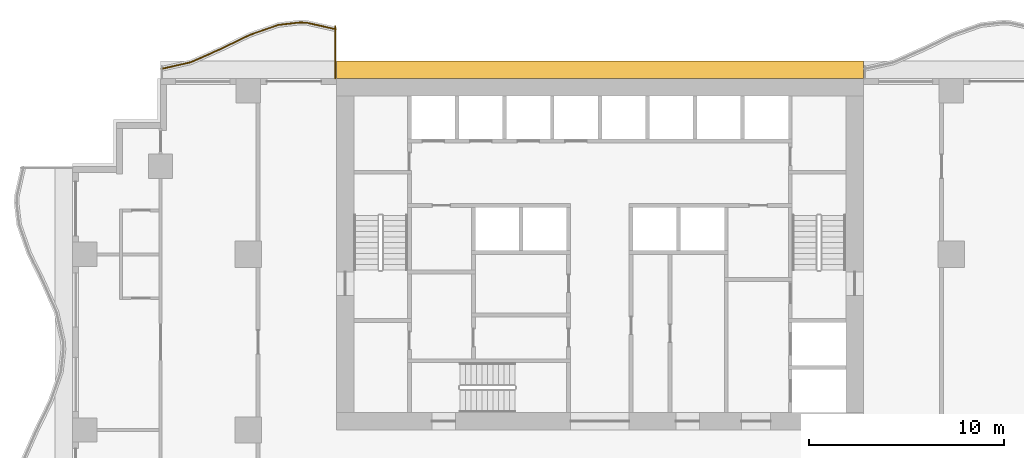
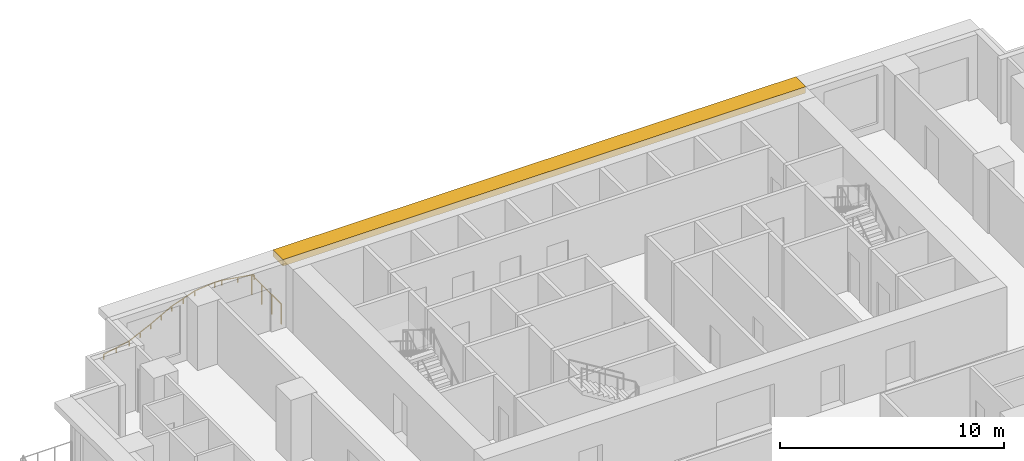
# One storey, part 13 of 14: 2 railings, 1 shading device.
"""IFC4 building model written with IfcOpenShell, lengths in metres."""

from ifc_helpers import new_model, si_unit, direction, frame, origin, origin_2d, place, context, subcontext, project, spatial, polyline, rectangle, outline, extrude, material, layer, layer_set, type_object, element, save


model = new_model("IFC4")

# Units and contexts
model_context = context("Model", 3, precision=1e-05, world=origin(), true_north=direction((0.0, 1.0)))
body_context = subcontext(model_context, "Body", "Model", "MODEL_VIEW")
ifc_project = project(units=[si_unit("LENGTHUNIT", "METRE"), si_unit("AREAUNIT", "SQUARE_METRE"), si_unit("VOLUMEUNIT", "CUBIC_METRE"), si_unit("PLANEANGLEUNIT", "RADIAN"), si_unit("MASSUNIT", "GRAM", prefix="KILO")], contexts=[model_context])

# Site, building, storey
site_placement = place(None, origin())
site = spatial("IfcSite", under=ifc_project, at=site_placement, CompositionType="ELEMENT")
building_placement = place(site_placement, origin())
building = spatial("IfcBuilding", under=site, at=building_placement, Name="Orbiselva Terraces", CompositionType="ELEMENT")
storey_placement = place(building_placement, frame((0.0, 0.0, 111.2)))
storey = spatial("IfcBuildingStorey", under=building, at=storey_placement, Name="L28", CompositionType="ELEMENT", Elevation=111.2)

# Railings
ifc_material_1 = material(Name="Bonded two-ply safety glass balustrade, stainless steel posts", Category="steel")
railing_type_1 = type_object("IfcRailingType", Name="ENV-BALUSTRADE-1200", PredefinedType="BALUSTRADE", material=ifc_material_1)
railing_1_placement = place(storey_placement, frame((-13.527377, 25.026563, 0.9)))
element("IfcRailing", 1, at=railing_1_placement, inside=storey, type_object=railing_type_1, Name="Balcony balustrade L28 NW", PredefinedType="BALUSTRADE", context=body_context, shape_type="SweptSolid", body=[
    extrude(outline(polyline([(0.028868, 0.0), (0.014434, 0.025), (-0.014434, 0.025), (-0.028868, 0.0), (-0.014434, -0.025), (0.014434, -0.025), (0.028868, 0.0)])), frame((0.0, 0.0, 0.275), z_axis=(-0.975721322437, 0.21901575501, 0.0), x_axis=(-0.21901575501, -0.975721322437, 0.0)), (0.0, 0.0, 1.0), 1.525954),
    extrude(outline(polyline([(0.028868, 0.0), (0.014434, 0.025), (-0.014434, 0.025), (-0.028868, 0.0), (-0.014434, -0.025), (0.014434, -0.025), (0.028868, 0.0)])), frame((-1.488906, 0.334208, 0.275), z_axis=(-0.999224931454, 0.039364150694, 0.0), x_axis=(-0.039364150694, -0.999224931454, 0.0)), (0.0, 0.0, 1.0), 0.354206),
    extrude(outline(polyline([(0.028868, 0.0), (0.014434, 0.025), (-0.014434, 0.025), (-0.028868, 0.0), (-0.014434, -0.025), (0.014434, -0.025), (0.028868, 0.0)])), frame((-1.842837, 0.348151, 0.275), z_axis=(-0.993309658409, -0.115481264762, 0.0), x_axis=(0.115481264762, -0.993309658409, 0.0)), (0.0, 0.0, 1.0), 1.10902),
    extrude(outline(polyline([(0.028868, 0.0), (0.014434, 0.025), (-0.014434, 0.025), (-0.028868, 0.0), (-0.014434, -0.025), (0.014434, -0.025), (0.028868, 0.0)])), frame((-2.944437, 0.22008, 0.275), z_axis=(-0.943972277814, -0.330024754707, 0.0), x_axis=(0.330024754707, -0.943972277814, 0.0)), (0.0, 0.0, 1.0), 1.567807),
    extrude(outline(polyline([(0.028868, 0.0), (0.014434, 0.025), (-0.014434, 0.025), (-0.028868, 0.0), (-0.014434, -0.025), (0.014434, -0.025), (0.028868, 0.0)])), frame((-4.424403, -0.297335, 0.275), z_axis=(-0.89857890432, -0.438811978768, 0.0), x_axis=(0.438811978768, -0.89857890432, 0.0)), (0.0, 0.0, 1.0), 1.66438),
    extrude(outline(polyline([(0.028868, 0.0), (0.014434, 0.025), (-0.014434, 0.025), (-0.028868, 0.0), (-0.014434, -0.025), (0.014434, -0.025), (0.028868, 0.0)])), frame((-5.91998, -1.027685, 0.275), z_axis=(-0.915133527237, -0.403150874148, 0.0), x_axis=(0.403150874148, -0.915133527237, 0.0)), (0.0, 0.0, 1.0), 1.653736),
    extrude(outline(polyline([(0.028868, 0.0), (0.014434, 0.025), (-0.014434, 0.025), (-0.028868, 0.0), (-0.014434, -0.025), (0.014434, -0.025), (0.028868, 0.0)])), frame((-7.433369, -1.69439, 0.275), z_axis=(-0.975721349543, -0.219015634252, 0.0), x_axis=(0.219015634252, -0.975721349543, 0.0)), (0.0, 0.0, 1.0), 1.549497),
    extrude(rectangle(XDim=0.05, YDim=0.05, at=origin_2d()), origin(), (0.0, 0.0, 1.0), 0.25),
    extrude(rectangle(XDim=0.05, YDim=0.05, at=origin_2d()), frame((-0.744453, 0.167104, 0.0)), (0.0, 0.0, 1.0), 0.25),
    extrude(rectangle(XDim=0.05, YDim=0.05, at=origin_2d()), frame((-1.488906, 0.334208, 0.0)), (0.0, 0.0, 1.0), 0.25),
    extrude(rectangle(XDim=0.05, YDim=0.05, at=origin_2d()), frame((-1.842837, 0.348151, 0.0)), (0.0, 0.0, 1.0), 0.25),
    extrude(rectangle(XDim=0.05, YDim=0.05, at=origin_2d()), frame((-2.944437, 0.22008, 0.0)), (0.0, 0.0, 1.0), 0.25),
    extrude(rectangle(XDim=0.05, YDim=0.05, at=origin_2d()), frame((-3.68442, -0.038628, 0.0)), (0.0, 0.0, 1.0), 0.25),
    extrude(rectangle(XDim=0.05, YDim=0.05, at=origin_2d()), frame((-4.424403, -0.297335, 0.0)), (0.0, 0.0, 1.0), 0.25),
    extrude(rectangle(XDim=0.05, YDim=0.05, at=origin_2d()), frame((-5.172192, -0.66251, 0.0)), (0.0, 0.0, 1.0), 0.25),
    extrude(rectangle(XDim=0.05, YDim=0.05, at=origin_2d()), frame((-5.91998, -1.027685, 0.0)), (0.0, 0.0, 1.0), 0.25),
    extrude(rectangle(XDim=0.05, YDim=0.05, at=origin_2d()), frame((-6.676675, -1.361037, 0.0)), (0.0, 0.0, 1.0), 0.25),
    extrude(rectangle(XDim=0.05, YDim=0.05, at=origin_2d()), frame((-7.433369, -1.69439, 0.0)), (0.0, 0.0, 1.0), 0.25),
    extrude(rectangle(XDim=0.05, YDim=0.05, at=origin_2d()), frame((-8.189308, -1.864072, 0.0)), (0.0, 0.0, 1.0), 0.25),
    extrude(rectangle(XDim=0.05, YDim=0.05, at=origin_2d()), frame((-8.945246, -2.033754, 0.0)), (0.0, 0.0, 1.0), 0.25),
])
ifc_material_2 = material(Name="Stainless steel rail and posts", Category="steel")
railing_type_2 = type_object("IfcRailingType", Name="ENV-GUARD-1105", PredefinedType="BALUSTRADE", material=ifc_material_2)
railing_2_placement = place(storey_placement, frame((-13.56, 25.169584, 0.0)))
element("IfcRailing", 2, at=railing_2_placement, inside=storey, type_object=railing_type_2, Name="Balcony end guard L28 NW", PredefinedType="BALUSTRADE", context=body_context, shape_type="SweptSolid", body=[
    extrude(outline(polyline([(0.028868, 0.0), (0.014434, 0.025), (-0.014434, 0.025), (-0.028868, 0.0), (-0.014434, -0.025), (0.014434, -0.025), (0.028868, 0.0)])), frame((0.0, 0.0, 1.08), z_axis=(0.0, -1.0, 0.0), x_axis=(1.0, 0.0, 0.0)), (0.0, 0.0, 1.0), 2.644584),
    extrude(rectangle(XDim=0.05, YDim=0.05, at=origin_2d()), origin(), (0.0, 0.0, 1.0), 1.055),
    extrude(rectangle(XDim=0.05, YDim=0.05, at=origin_2d()), frame((0.0, -0.881528, 0.0)), (0.0, 0.0, 1.0), 1.055),
    extrude(rectangle(XDim=0.05, YDim=0.05, at=origin_2d()), frame((0.0, -1.763056, 0.0)), (0.0, 0.0, 1.0), 1.055),
    extrude(rectangle(XDim=0.05, YDim=0.05, at=origin_2d()), frame((0.0, -2.644584, 0.0)), (0.0, 0.0, 1.0), 1.055),
])

# Shading device
ifc_material_3 = material(Name="Terracotta baguette sunshade", Category="masonry")
ifc_layer = layer(ifc_material_3, 0.35)
ifc_layer_set = layer_set([ifc_layer], Name="Terracotta baguette sunshade")
shading_device_type = type_object("IfcShadingDeviceType", Name="ENV-SUNSHADE-900x350", PredefinedType="USERDEFINED", material=ifc_layer_set)
shading_device_placement = place(storey_placement, frame((0.0, 0.0, 3.15)))
element("IfcShadingDevice", 3, at=shading_device_placement, inside=storey, type_object=shading_device_type, Name="Sunshade band L28 CORE NORTH", ObjectType="SUNSHADE", PredefinedType="USERDEFINED", context=body_context, shape_type="SweptSolid", body=[
    extrude(outline(polyline([(13.5, 23.4), (-13.5, 23.4), (-13.5, 22.5), (13.5, 22.5), (13.5, 23.4)])), origin(), (0.0, 0.0, 1.0), 0.35),
])

save(model, "model.ifc")
